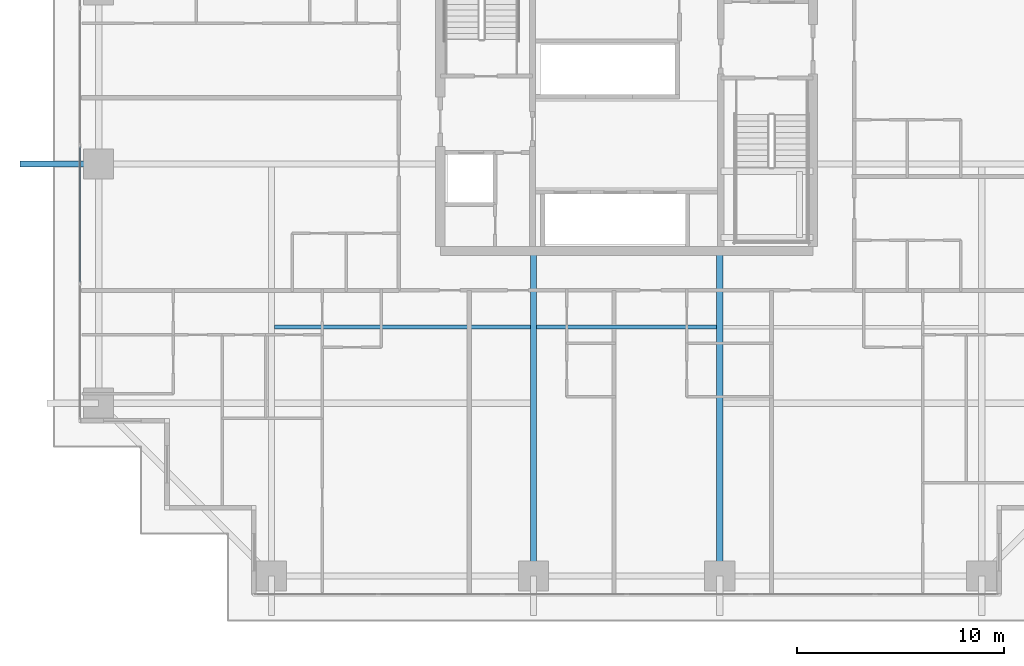
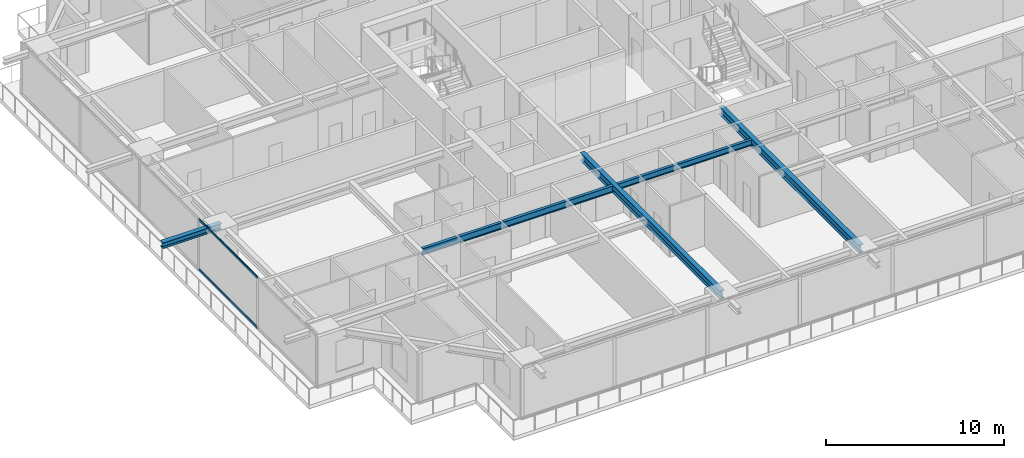
# One storey, part 6 of 38: 5 beams, 2 members, 1 element without a shape of its own.
"""IFC4 building model written with IfcOpenShell, lengths in metres."""

import ifcopenshell
import ifcopenshell.guid

model = None  # the IFC model being written
_history = None  # IfcOwnerHistory: only IFC2X3 demands one
_inside = {}  # id of a spatial element -> (the spatial element, [elements in it])
_under = {}  # id of a project, library or spatial element -> (it, [spatial elements below it])
_declared = {}  # id of a project -> (the project, [libraries it declares])
_typed = {}  # id of a type object -> (the type object, [elements of that type])
_made_of = {}  # id of a material, layer set ... -> (it, [elements and type objects made of it])


def new_model(schema):
    """Start an empty IFC model of exactly this schema.

    Asked for "IFC4X3", IfcOpenShell would pick the latest addendum, in which some entities
    have other attributes; the version numbers below select the first issue.
    IFC2X3 requires an IfcOwnerHistory on every rooted entity: one is made here for all.
    """
    global model, _history
    if schema == "IFC4X3":
        model = ifcopenshell.file(schema_version=(4, 3, 0, 0))
    else:
        model = ifcopenshell.file(schema=schema)
    _inside.clear()
    _under.clear()
    _declared.clear()
    _typed.clear()
    _made_of.clear()
    _history = None
    if model.schema == "IFC2X3":
        org = make("IfcOrganization", Name="unknown")
        user = make(
            "IfcPersonAndOrganization",
            ThePerson=make("IfcPerson", FamilyName="unknown"),
            TheOrganization=org,
        )
        app = make(
            "IfcApplication",
            ApplicationDeveloper=org,
            Version="unknown",
            ApplicationFullName="unknown",
            ApplicationIdentifier="unknown",
        )
        _history = make(
            "IfcOwnerHistory",
            OwningUser=user,
            OwningApplication=app,
            ChangeAction="ADDED",
            CreationDate=0,
        )
    return model


def make(cls, **values):
    """One entity of the class cls with the attributes given. An attribute that is None is left unset."""
    return model.create_entity(
        cls, **{name: value for name, value in values.items() if value is not None}
    )


def rooted(cls, **values):
    """An entity with a GlobalId (a new one), such as an element, a storey or a relation."""
    return make(cls, GlobalId=ifcopenshell.guid.new(), OwnerHistory=_history, **values)


def si_unit(unit_type, name, prefix=None):
    """IfcSIUnit, for example si_unit("LENGTHUNIT", "METRE", prefix="MILLI")."""
    return make("IfcSIUnit", UnitType=unit_type, Prefix=prefix, Name=name)


def assignment(units):
    """IfcUnitAssignment: the units of a project."""
    return None if units is None else make("IfcUnitAssignment", Units=units)


def point(xyz):
    """IfcCartesianPoint."""
    return None if xyz is None else make("IfcCartesianPoint", Coordinates=xyz)


def direction(xyz):
    """IfcDirection."""
    return None if xyz is None else make("IfcDirection", DirectionRatios=xyz)


def frame(location, z_axis=None, x_axis=None):
    """IfcAxis2Placement3D, a coordinate frame: its origin and axes. An axis left out is left unset."""
    return make(
        "IfcAxis2Placement3D",
        Location=point(location),
        Axis=direction(z_axis),
        RefDirection=direction(x_axis),
    )


def frame_2d(location, x_axis=None):
    """IfcAxis2Placement2D, a coordinate frame in the plane: its origin and x axis."""
    return make(
        "IfcAxis2Placement2D", Location=point(location), RefDirection=direction(x_axis)
    )


def origin():
    """The frame at (0, 0, 0) with its axes left unset."""
    return frame((0.0, 0.0, 0.0))


def origin_2d():
    """The frame at (0, 0) in the plane with its x axis left unset."""
    return frame_2d((0.0, 0.0))


def place(relative_to, where):
    """IfcLocalPlacement: puts the frame where relative to a parent placement (None: the world)."""
    return make(
        "IfcLocalPlacement", PlacementRelTo=relative_to, RelativePlacement=where
    )


def context(
    kind, dimensions, precision=None, world=None, true_north=None, identifier=None
):
    """IfcGeometricRepresentationContext, for example the 3D "Model" context."""
    return make(
        "IfcGeometricRepresentationContext",
        ContextIdentifier=identifier,
        ContextType=kind,
        CoordinateSpaceDimension=dimensions,
        Precision=precision,
        WorldCoordinateSystem=world,
        TrueNorth=true_north,
    )


def subcontext(parent, identifier, kind, view, scale=None):
    """IfcGeometricRepresentationSubContext, for example "Body" below "Model"."""
    return make(
        "IfcGeometricRepresentationSubContext",
        ContextIdentifier=identifier,
        ContextType=kind,
        ParentContext=parent,
        TargetScale=scale,
        TargetView=view,
    )


def project(units=None, contexts=None):
    """IfcProject with its units and contexts."""
    return rooted(
        "IfcProject",
        Name="project",
        RepresentationContexts=contexts,
        UnitsInContext=assignment(units),
    )


def spatial(cls, under=None, at=None, **own):
    """A site, building, storey or space (cls), placed at a placement, below another one or the project."""
    s = rooted(cls, ObjectPlacement=at, **own)
    if under is not None:
        _under.setdefault(under.id(), (under, []))[1].append(s)
    return s


def profile(cls, at=None, kind="AREA", **sizes):
    """A parametric profile (cls). Its sizes go by their IFC names, for example OverallWidth=200.0."""
    return make(cls, ProfileType=kind, Position=at, **sizes)


def hollow_rectangle(**sizes):
    """IfcRectangleHollowProfileDef."""
    return profile("IfcRectangleHollowProfileDef", **sizes)


def i_section(**sizes):
    """IfcIShapeProfileDef."""
    return profile("IfcIShapeProfileDef", **sizes)


def extrude(swept, where, along, depth):
    """IfcExtrudedAreaSolid: the profile swept, set in the frame where, extruded along a direction by depth."""
    return make(
        "IfcExtrudedAreaSolid",
        SweptArea=swept,
        Position=where,
        ExtrudedDirection=direction(along),
        Depth=depth,
    )


def shape(context_of_items, identifier, shape_type, items):
    """IfcShapeRepresentation: the items that make up one representation, for example the "Body"."""
    return make(
        "IfcShapeRepresentation",
        ContextOfItems=context_of_items,
        RepresentationIdentifier=identifier,
        RepresentationType=shape_type,
        Items=items,
    )


def source(mapping_origin, context_of_items, identifier, shape_type, items):
    """IfcRepresentationMap: a shape defined once, which mapped items show again and again."""
    return make(
        "IfcRepresentationMap",
        MappingOrigin=mapping_origin,
        MappedRepresentation=shape(context_of_items, identifier, shape_type, items),
    )


def transform(
    local_origin,
    x_axis=None,
    y_axis=None,
    z_axis=None,
    scale=None,
    scale2=None,
    scale3=None,
    uniform=True,
):
    """IfcCartesianTransformationOperator3D, or its non-uniform kind. x_axis, y_axis, z_axis: its Axis1, 2, 3."""
    if uniform:
        return make(
            "IfcCartesianTransformationOperator3D",
            Axis1=direction(x_axis),
            Axis2=direction(y_axis),
            LocalOrigin=point(local_origin),
            Scale=scale,
            Axis3=direction(z_axis),
        )
    return make(
        "IfcCartesianTransformationOperator3DnonUniform",
        Axis1=direction(x_axis),
        Axis2=direction(y_axis),
        LocalOrigin=point(local_origin),
        Scale=scale,
        Axis3=direction(z_axis),
        Scale2=scale2,
        Scale3=scale3,
    )


def mapped(mapping_source, mapping_target):
    """IfcMappedItem: shows the shape of a source again, moved by a transform."""
    return make(
        "IfcMappedItem", MappingSource=mapping_source, MappingTarget=mapping_target
    )


def material(Name=None, Category=None):
    """IfcMaterial."""
    return make("IfcMaterial", Name=Name, Category=Category)


def layer(
    of_material, thickness, ventilated=None, Name=None, Category=None, Priority=None
):
    """IfcMaterialLayer: one layer of a wall or slab, of a material (None: an air gap)."""
    return make(
        "IfcMaterialLayer",
        Material=of_material,
        LayerThickness=thickness,
        IsVentilated=ventilated,
        Name=Name,
        Category=Category,
        Priority=Priority,
    )


def layer_set(layers, Name=None):
    """IfcMaterialLayerSet."""
    return make("IfcMaterialLayerSet", MaterialLayers=layers, LayerSetName=Name)


def material_profile(
    of_material, cross_section, Name=None, Category=None, Priority=None
):
    """IfcMaterialProfile: a cross section and its material."""
    return make(
        "IfcMaterialProfile",
        Name=Name,
        Material=of_material,
        Profile=cross_section,
        Priority=Priority,
        Category=Category,
    )


def profile_set(profiles, Name=None, composite=None):
    """IfcMaterialProfileSet."""
    return make(
        "IfcMaterialProfileSet",
        Name=Name,
        MaterialProfiles=profiles,
        CompositeProfile=composite,
    )


def made_of(thing, what):
    """Note that an element or type object is made of a material, layer set ...; save() writes the relation."""
    if what is not None:
        _made_of.setdefault(what.id(), (what, []))[1].append(thing)
    return thing


def type_object(cls, material=None, **own):
    """A type object (cls), such as IfcWallType, which elements share."""
    return made_of(rooted(cls, **own), material)


def element(
    cls,
    number,
    at=None,
    inside=None,
    cuts=None,
    type_object=None,
    material=None,
    context=None,
    identifier="Body",
    shape_type=None,
    held_by="IfcProductDefinitionShape",
    body=None,
    shapes=None,
    **own,
):
    """One element of the class cls, such as IfcWall. Its Tag is "e" and its number.

    at: its placement. inside: the storey or other place that contains it. cuts: it is an
    opening in that element (IfcRelVoidsElement). A single representation is given by context,
    identifier, shape_type and body (its items); several are given by shapes. held_by: the class
    of the entity that holds the representations. save() writes the other relations.
    """
    e = rooted(cls, Tag="e%d" % number, ObjectPlacement=at, **own)
    if body is not None:
        shapes = [shape(context, identifier, shape_type, body)]
    if shapes is not None:
        e.Representation = make(held_by, Representations=shapes)
    if inside is not None:
        _inside.setdefault(inside.id(), (inside, []))[1].append(e)
    if cuts is not None:
        rooted(
            "IfcRelVoidsElement", RelatingBuildingElement=cuts, RelatedOpeningElement=e
        )
    if type_object is not None:
        _typed.setdefault(type_object.id(), (type_object, []))[1].append(e)
    return made_of(e, material)


def aggregate(whole, parts):
    """IfcRelAggregates: a whole, such as a stair, and the parts it consists of."""
    return rooted("IfcRelAggregates", RelatingObject=whole, RelatedObjects=parts)


def save(model, path):
    """Write the relations noted so far, then the file.

    IfcRelAggregates (storeys below a building ...), IfcRelContainedInSpatialStructure (elements
    in a storey), IfcRelDefinesByType, IfcRelAssociatesMaterial and IfcRelDeclares: one each for
    every whole, place, type object, material and project.
    """
    for whole, parts in _under.values():
        aggregate(whole, parts)
    for where, things in _inside.values():
        rooted(
            "IfcRelContainedInSpatialStructure",
            RelatedElements=things,
            RelatingStructure=where,
        )
    for kind, things in _typed.values():
        rooted("IfcRelDefinesByType", RelatedObjects=things, RelatingType=kind)
    for what, things in _made_of.values():
        rooted("IfcRelAssociatesMaterial", RelatedObjects=things, RelatingMaterial=what)
    for by, libraries in _declared.values():
        rooted("IfcRelDeclares", RelatingContext=by, RelatedDefinitions=libraries)
    model.write(path)


model = new_model("IFC4")

# Units and contexts
model_context = context("Model", 3, precision=1e-05, world=origin(), true_north=direction((0.0, 1.0)))
body_context = subcontext(model_context, "Body", "Model", "MODEL_VIEW")
ifc_project = project(units=[si_unit("LENGTHUNIT", "METRE"), si_unit("AREAUNIT", "SQUARE_METRE"), si_unit("VOLUMEUNIT", "CUBIC_METRE"), si_unit("PLANEANGLEUNIT", "RADIAN"), si_unit("MASSUNIT", "GRAM", prefix="KILO")], contexts=[model_context])

# Site, building, storey
site_placement = place(None, origin())
site = spatial("IfcSite", under=ifc_project, at=site_placement, CompositionType="ELEMENT")
building_placement = place(site_placement, origin())
building = spatial("IfcBuilding", under=site, at=building_placement, Name="Serunith Strait Residences", CompositionType="ELEMENT")
storey_placement = place(building_placement, frame((0.0, 0.0, 67.949951171875)))
storey = spatial("IfcBuildingStorey", under=building, at=storey_placement, Name="L16", CompositionType="ELEMENT", Elevation=67.949951171875)

# Beams
ifc_material_1 = material(Name="Steel S355J2", Category="steel")
ifc_material_profile_1 = material_profile(ifc_material_1, i_section(OverallWidth=0.300048828125, OverallDepth=0.550048828125, WebThickness=0.014892578125, FlangeThickness=0.029052734375, FilletRadius=0.027099609375, at=origin_2d()), Name="HEB 550")
ifc_profile_set_1 = profile_set([ifc_material_profile_1], Name="Steel S355J2")
beam_type_1 = type_object("IfcBeamType", Name="BM-HEB550", PredefinedType="BEAM", material=ifc_profile_set_1)
shared_shape_1 = source(origin(), body_context, "Body", "SweptSolid", [
    extrude(i_section(OverallWidth=0.300048828125, OverallDepth=0.550048828125, WebThickness=0.014892578125, FlangeThickness=0.029052734375, FilletRadius=0.027099609375, at=origin_2d()), origin(), (0.0, 0.0, 1.0), 15.699951171875),
])
for number, where, z_axis, x_axis, name in (
    (1, (27.89990234375, 16.800048828125, 3.212158203125), (0.0, -1.0, 0.0), (1.0, 0.0, 0.0), "L16 Primary Floor Girder TC-S2"),
    (2, (36.89990234375, 16.800048828125, 3.212158203125), (0.0, -1.0, 0.0), (1.0, 0.0, 0.0), "L16 Primary Floor Girder TC-S3"),
):
    element("IfcBeam", number, at=place(storey_placement, frame(where, z_axis=z_axis, x_axis=x_axis)), inside=storey, type_object=beam_type_1, Name=name, PredefinedType="BEAM", context=body_context, shape_type="MappedRepresentation", body=[
        mapped(shared_shape_1, transform((0.0, 0.0, 0.0), scale=1.0)),
    ])
ifc_material_profile_2 = material_profile(ifc_material_1, i_section(OverallWidth=0.18994140625, OverallDepth=0.449951171875, WebThickness=0.009521484375, FlangeThickness=0.0146484375, FilletRadius=0.02099609375, at=origin_2d()), Name="IPE 450")
ifc_profile_set_2 = profile_set([ifc_material_profile_2], Name="Steel S355J2")
beam_type_2 = type_object("IfcBeamType", Name="BM-IPE450", PredefinedType="JOIST", material=ifc_profile_set_2)
shared_shape_2 = source(origin(), body_context, "Body", "SweptSolid", [
    extrude(i_section(OverallWidth=0.18994140625, OverallDepth=0.449951171875, WebThickness=0.009521484375, FlangeThickness=0.0146484375, FilletRadius=0.02099609375, at=origin_2d()), origin(), (0.0, 0.0, 1.0), 12.35009765625),
])
beam_1_placement = place(storey_placement, frame((15.39990234375, 13.125, 3.261962890625), z_axis=(1.0, 0.0, 0.0), x_axis=(0.0, 1.0, 0.0)))
element("IfcBeam", 3, at=beam_1_placement, inside=storey, type_object=beam_type_2, Name="L16 Composite Floor Joist 01", PredefinedType="JOIST", context=body_context, shape_type="MappedRepresentation", body=[
    mapped(shared_shape_2, transform((0.0, 0.0, 0.0), scale=1.0)),
])
ifc_material_profile_3 = material_profile(ifc_material_1, i_section(OverallWidth=0.179931640625, OverallDepth=0.39990234375, WebThickness=0.008544921875, FlangeThickness=0.013427734375, FilletRadius=0.02099609375, at=origin_2d()), Name="IPE 400")
ifc_profile_set_3 = profile_set([ifc_material_profile_3], Name="Steel S355J2")
beam_type_3 = type_object("IfcBeamType", Name="BM-IPE400", PredefinedType="JOIST", material=ifc_profile_set_3)
shared_shape_3 = source(origin(), body_context, "Body", "SweptSolid", [
    extrude(i_section(OverallWidth=0.179931640625, OverallDepth=0.39990234375, WebThickness=0.008544921875, FlangeThickness=0.013427734375, FilletRadius=0.02099609375, at=origin_2d()), origin(), (0.0, 0.0, 1.0), 8.699951171875),
])
beam_2_placement = place(storey_placement, frame((28.050048828125, 13.125, 3.287109375), z_axis=(1.0, 0.0, 0.0), x_axis=(0.0, 1.0, 0.0)))
element("IfcBeam", 4, at=beam_2_placement, inside=storey, type_object=beam_type_3, Name="L16 Composite Floor Joist 02", PredefinedType="JOIST", context=body_context, shape_type="MappedRepresentation", body=[
    mapped(shared_shape_3, transform((0.0, 0.0, 0.0), scale=1.0)),
])
ifc_material_profile_4 = material_profile(ifc_material_1, i_section(OverallWidth=0.300048828125, OverallDepth=0.39990234375, WebThickness=0.013427734375, FlangeThickness=0.02392578125, FilletRadius=0.027099609375, at=origin_2d()), Name="HEB 400")
ifc_profile_set_4 = profile_set([ifc_material_profile_4], Name="Steel S355J2")
beam_type_4 = type_object("IfcBeamType", Name="BM-HEB400", PredefinedType="BEAM", material=ifc_profile_set_4)
shared_shape_4 = source(origin(), body_context, "Body", "SweptSolid", [
    extrude(i_section(OverallWidth=0.300048828125, OverallDepth=0.39990234375, WebThickness=0.013427734375, FlangeThickness=0.02392578125, FilletRadius=0.027099609375, at=origin_2d()), origin(), (0.0, 0.0, 1.0), 3.7998046875),
])
beam_3_placement = place(storey_placement, frame((6.89990234375, 21.0, 3.257080078125), z_axis=(-1.0, 0.0, 0.0), x_axis=(0.0, -1.0, 0.0)))
element("IfcBeam", 5, at=beam_3_placement, inside=storey, type_object=beam_type_4, Name="L17 Cantilevered Balcony Rib TC-W2", PredefinedType="BEAM", context=body_context, shape_type="MappedRepresentation", body=[
    mapped(shared_shape_4, transform((0.0, 0.0, 0.0), scale=1.0)),
])

# Curtain wall, members
ifc_material_2 = material(Name="Pale-Champagne Anodised Aluminium", Category="aluminium")
ifc_layer = layer(ifc_material_2, 0.199951171875, Name="Pale-Champagne Anodised Aluminium")
ifc_layer_set = layer_set([ifc_layer], Name="Pale-Champagne Anodised Aluminium")
curtain_wall_type = type_object("IfcCurtainWallType", Name="CW-SYS1", PredefinedType="NOTDEFINED", material=ifc_layer_set)
curtain_wall_placement = place(storey_placement, origin())
curtain_wall = element("IfcCurtainWall", 6, at=curtain_wall_placement, inside=storey, type_object=curtain_wall_type, Name="L16 W Unitised Fritted Curtain Wall", PredefinedType="NOTDEFINED")
ifc_material_profile_5 = material_profile(ifc_material_2, hollow_rectangle(XDim=0.06005859375, YDim=0.159912109375, WallThickness=0.00341796875, InnerFilletRadius=0.00537109375, OuterFilletRadius=0.0087890625, at=origin_2d()), Name="ALU 160x60x3.5")
ifc_profile_set_5 = profile_set([ifc_material_profile_5], Name="Pale-Champagne Anodised Aluminium")
member_type = type_object("IfcMemberType", Name="CW-SYS1-TRAN", PredefinedType="USERDEFINED", material=ifc_profile_set_5)
shared_shape_5 = source(origin(), body_context, "Body", "SweptSolid", [
    extrude(hollow_rectangle(XDim=0.06005859375, YDim=0.159912109375, WallThickness=0.00341796875, InnerFilletRadius=0.00537109375, OuterFilletRadius=0.0087890625, at=origin_2d()), origin(), (0.0, 0.0, 1.0), 6.570068359375),
])
member_1_placement = place(storey_placement, frame((6.0, 21.844970703125, 0.030029296875), z_axis=(0.0, -1.0, 0.0), x_axis=(1.0, 0.0, 0.0)))
member_1 = element("IfcMember", 7, at=member_1_placement, type_object=member_type, Name="CW-1 transom 4.1", ObjectType="TRANSOM", PredefinedType="USERDEFINED", context=body_context, shape_type="MappedRepresentation", body=[
    mapped(shared_shape_5, transform((0.0, 0.0, 0.0), scale=1.0)),
])
member_2_placement = place(storey_placement, frame((6.0, 21.844970703125, 3.445068359375), z_axis=(0.0, -1.0, 0.0), x_axis=(1.0, 0.0, 0.0)))
member_2 = element("IfcMember", 8, at=member_2_placement, type_object=member_type, Name="CW-1 transom 4.2", ObjectType="TRANSOM", PredefinedType="USERDEFINED", context=body_context, shape_type="MappedRepresentation", body=[
    mapped(shared_shape_5, transform((0.0, 0.0, 0.0), scale=1.0)),
])
aggregate(curtain_wall, [member_1, member_2])

save(model, "model.ifc")
